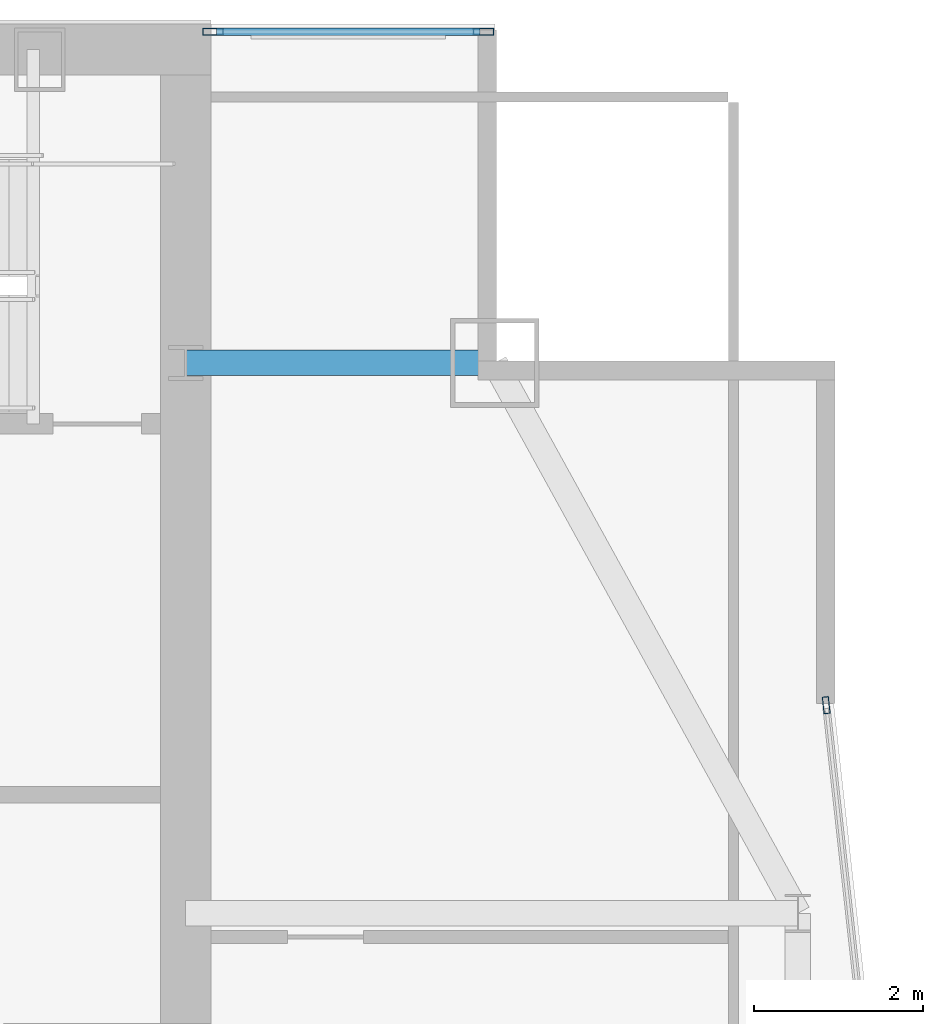
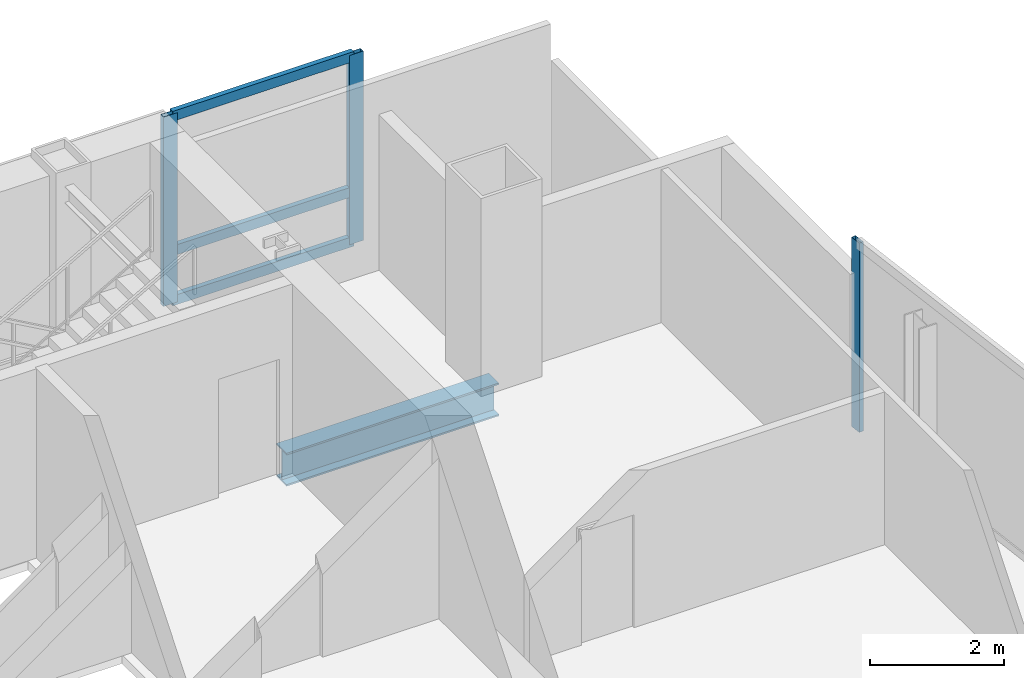
# One storey, part 22 of 29: 6 members, 1 beam, 2 elements without a shape of their own.
"""IFC4 building model written with IfcOpenShell, lengths in metres."""

import ifcopenshell
import ifcopenshell.guid

model = None  # the IFC model being written
_history = None  # IfcOwnerHistory: only IFC2X3 demands one
_inside = {}  # id of a spatial element -> (the spatial element, [elements in it])
_under = {}  # id of a project, library or spatial element -> (it, [spatial elements below it])
_declared = {}  # id of a project -> (the project, [libraries it declares])
_typed = {}  # id of a type object -> (the type object, [elements of that type])
_made_of = {}  # id of a material, layer set ... -> (it, [elements and type objects made of it])


def new_model(schema):
    """Start an empty IFC model of exactly this schema.

    Asked for "IFC4X3", IfcOpenShell would pick the latest addendum, in which some entities
    have other attributes; the version numbers below select the first issue.
    IFC2X3 requires an IfcOwnerHistory on every rooted entity: one is made here for all.
    """
    global model, _history
    if schema == "IFC4X3":
        model = ifcopenshell.file(schema_version=(4, 3, 0, 0))
    else:
        model = ifcopenshell.file(schema=schema)
    _inside.clear()
    _under.clear()
    _declared.clear()
    _typed.clear()
    _made_of.clear()
    _history = None
    if model.schema == "IFC2X3":
        org = make("IfcOrganization", Name="unknown")
        user = make(
            "IfcPersonAndOrganization",
            ThePerson=make("IfcPerson", FamilyName="unknown"),
            TheOrganization=org,
        )
        app = make(
            "IfcApplication",
            ApplicationDeveloper=org,
            Version="unknown",
            ApplicationFullName="unknown",
            ApplicationIdentifier="unknown",
        )
        _history = make(
            "IfcOwnerHistory",
            OwningUser=user,
            OwningApplication=app,
            ChangeAction="ADDED",
            CreationDate=0,
        )
    return model


def make(cls, **values):
    """One entity of the class cls with the attributes given. An attribute that is None is left unset."""
    return model.create_entity(
        cls, **{name: value for name, value in values.items() if value is not None}
    )


def rooted(cls, **values):
    """An entity with a GlobalId (a new one), such as an element, a storey or a relation."""
    return make(cls, GlobalId=ifcopenshell.guid.new(), OwnerHistory=_history, **values)


def si_unit(unit_type, name, prefix=None):
    """IfcSIUnit, for example si_unit("LENGTHUNIT", "METRE", prefix="MILLI")."""
    return make("IfcSIUnit", UnitType=unit_type, Prefix=prefix, Name=name)


def assignment(units):
    """IfcUnitAssignment: the units of a project."""
    return None if units is None else make("IfcUnitAssignment", Units=units)


def point(xyz):
    """IfcCartesianPoint."""
    return None if xyz is None else make("IfcCartesianPoint", Coordinates=xyz)


def direction(xyz):
    """IfcDirection."""
    return None if xyz is None else make("IfcDirection", DirectionRatios=xyz)


def frame(location, z_axis=None, x_axis=None):
    """IfcAxis2Placement3D, a coordinate frame: its origin and axes. An axis left out is left unset."""
    return make(
        "IfcAxis2Placement3D",
        Location=point(location),
        Axis=direction(z_axis),
        RefDirection=direction(x_axis),
    )


def frame_2d(location, x_axis=None):
    """IfcAxis2Placement2D, a coordinate frame in the plane: its origin and x axis."""
    return make(
        "IfcAxis2Placement2D", Location=point(location), RefDirection=direction(x_axis)
    )


def origin():
    """The frame at (0, 0, 0) with its axes left unset."""
    return frame((0.0, 0.0, 0.0))


def origin_2d():
    """The frame at (0, 0) in the plane with its x axis left unset."""
    return frame_2d((0.0, 0.0))


def place(relative_to, where):
    """IfcLocalPlacement: puts the frame where relative to a parent placement (None: the world)."""
    return make(
        "IfcLocalPlacement", PlacementRelTo=relative_to, RelativePlacement=where
    )


def context(
    kind, dimensions, precision=None, world=None, true_north=None, identifier=None
):
    """IfcGeometricRepresentationContext, for example the 3D "Model" context."""
    return make(
        "IfcGeometricRepresentationContext",
        ContextIdentifier=identifier,
        ContextType=kind,
        CoordinateSpaceDimension=dimensions,
        Precision=precision,
        WorldCoordinateSystem=world,
        TrueNorth=true_north,
    )


def subcontext(parent, identifier, kind, view, scale=None):
    """IfcGeometricRepresentationSubContext, for example "Body" below "Model"."""
    return make(
        "IfcGeometricRepresentationSubContext",
        ContextIdentifier=identifier,
        ContextType=kind,
        ParentContext=parent,
        TargetScale=scale,
        TargetView=view,
    )


def project(units=None, contexts=None):
    """IfcProject with its units and contexts."""
    return rooted(
        "IfcProject",
        Name="project",
        RepresentationContexts=contexts,
        UnitsInContext=assignment(units),
    )


def spatial(cls, under=None, at=None, **own):
    """A site, building, storey or space (cls), placed at a placement, below another one or the project."""
    s = rooted(cls, ObjectPlacement=at, **own)
    if under is not None:
        _under.setdefault(under.id(), (under, []))[1].append(s)
    return s


def profile(cls, at=None, kind="AREA", **sizes):
    """A parametric profile (cls). Its sizes go by their IFC names, for example OverallWidth=200.0."""
    return make(cls, ProfileType=kind, Position=at, **sizes)


def hollow_rectangle(**sizes):
    """IfcRectangleHollowProfileDef."""
    return profile("IfcRectangleHollowProfileDef", **sizes)


def i_section(**sizes):
    """IfcIShapeProfileDef."""
    return profile("IfcIShapeProfileDef", **sizes)


def extrude(swept, where, along, depth):
    """IfcExtrudedAreaSolid: the profile swept, set in the frame where, extruded along a direction by depth."""
    return make(
        "IfcExtrudedAreaSolid",
        SweptArea=swept,
        Position=where,
        ExtrudedDirection=direction(along),
        Depth=depth,
    )


def shape(context_of_items, identifier, shape_type, items):
    """IfcShapeRepresentation: the items that make up one representation, for example the "Body"."""
    return make(
        "IfcShapeRepresentation",
        ContextOfItems=context_of_items,
        RepresentationIdentifier=identifier,
        RepresentationType=shape_type,
        Items=items,
    )


def material(Name=None, Category=None):
    """IfcMaterial."""
    return make("IfcMaterial", Name=Name, Category=Category)


def material_profile(
    of_material, cross_section, Name=None, Category=None, Priority=None
):
    """IfcMaterialProfile: a cross section and its material."""
    return make(
        "IfcMaterialProfile",
        Name=Name,
        Material=of_material,
        Profile=cross_section,
        Priority=Priority,
        Category=Category,
    )


def profile_set(profiles, Name=None, composite=None):
    """IfcMaterialProfileSet."""
    return make(
        "IfcMaterialProfileSet",
        Name=Name,
        MaterialProfiles=profiles,
        CompositeProfile=composite,
    )


def made_of(thing, what):
    """Note that an element or type object is made of a material, layer set ...; save() writes the relation."""
    if what is not None:
        _made_of.setdefault(what.id(), (what, []))[1].append(thing)
    return thing


def type_object(cls, material=None, **own):
    """A type object (cls), such as IfcWallType, which elements share."""
    return made_of(rooted(cls, **own), material)


def element(
    cls,
    number,
    at=None,
    inside=None,
    cuts=None,
    type_object=None,
    material=None,
    context=None,
    identifier="Body",
    shape_type=None,
    held_by="IfcProductDefinitionShape",
    body=None,
    shapes=None,
    **own,
):
    """One element of the class cls, such as IfcWall. Its Tag is "e" and its number.

    at: its placement. inside: the storey or other place that contains it. cuts: it is an
    opening in that element (IfcRelVoidsElement). A single representation is given by context,
    identifier, shape_type and body (its items); several are given by shapes. held_by: the class
    of the entity that holds the representations. save() writes the other relations.
    """
    e = rooted(cls, Tag="e%d" % number, ObjectPlacement=at, **own)
    if body is not None:
        shapes = [shape(context, identifier, shape_type, body)]
    if shapes is not None:
        e.Representation = make(held_by, Representations=shapes)
    if inside is not None:
        _inside.setdefault(inside.id(), (inside, []))[1].append(e)
    if cuts is not None:
        rooted(
            "IfcRelVoidsElement", RelatingBuildingElement=cuts, RelatedOpeningElement=e
        )
    if type_object is not None:
        _typed.setdefault(type_object.id(), (type_object, []))[1].append(e)
    return made_of(e, material)


def aggregate(whole, parts):
    """IfcRelAggregates: a whole, such as a stair, and the parts it consists of."""
    return rooted("IfcRelAggregates", RelatingObject=whole, RelatedObjects=parts)


def save(model, path):
    """Write the relations noted so far, then the file.

    IfcRelAggregates (storeys below a building ...), IfcRelContainedInSpatialStructure (elements
    in a storey), IfcRelDefinesByType, IfcRelAssociatesMaterial and IfcRelDeclares: one each for
    every whole, place, type object, material and project.
    """
    for whole, parts in _under.values():
        aggregate(whole, parts)
    for where, things in _inside.values():
        rooted(
            "IfcRelContainedInSpatialStructure",
            RelatedElements=things,
            RelatingStructure=where,
        )
    for kind, things in _typed.values():
        rooted("IfcRelDefinesByType", RelatedObjects=things, RelatingType=kind)
    for what, things in _made_of.values():
        rooted("IfcRelAssociatesMaterial", RelatedObjects=things, RelatingMaterial=what)
    for by, libraries in _declared.values():
        rooted("IfcRelDeclares", RelatingContext=by, RelatedDefinitions=libraries)
    model.write(path)


model = new_model("IFC4")

# Units and contexts
model_context = context("Model", 3, precision=1e-05, world=origin(), true_north=direction((0.0, 1.0)))
body_context = subcontext(model_context, "Body", "Model", "MODEL_VIEW")
ifc_project = project(units=[si_unit("LENGTHUNIT", "METRE"), si_unit("AREAUNIT", "SQUARE_METRE"), si_unit("VOLUMEUNIT", "CUBIC_METRE"), si_unit("PLANEANGLEUNIT", "RADIAN"), si_unit("MASSUNIT", "GRAM", prefix="KILO")], contexts=[model_context])

# Site, building, storey
site_placement = place(None, origin())
site = spatial("IfcSite", under=ifc_project, at=site_placement, CompositionType="ELEMENT")
building_placement = place(site_placement, origin())
building = spatial("IfcBuilding", under=site, at=building_placement, Name="Khoronbel Lancet Exchange", CompositionType="ELEMENT")
storey_placement = place(building_placement, frame((0.0, 0.0, 242.60009765625)))
storey = spatial("IfcBuildingStorey", under=building, at=storey_placement, Name="L62", CompositionType="ELEMENT", Elevation=242.60009765625)

# Beam
ifc_material_1 = material(Name="Steel S355", Category="steel")
ifc_material_profile_1 = material_profile(ifc_material_1, i_section(OverallWidth=0.300048828125, OverallDepth=0.60009765625, WebThickness=0.015380859375, FlangeThickness=0.030029296875, at=origin_2d()), Name="HEB 600")
ifc_profile_set_1 = profile_set([ifc_material_profile_1], Name="Steel S355")
beam_type = type_object("IfcBeamType", Name="BM-BSP2", PredefinedType="SPANDREL", material=ifc_profile_set_1)
beam_placement = place(storey_placement, frame((60.050048828125, 49.699951171875, -0.460205078125), z_axis=(-1.0, 0.0, 0.0), x_axis=(0.0, -1.0, 0.0)))
element("IfcBeam", 1, at=beam_placement, inside=storey, type_object=beam_type, Name="Level L62 north flank tie spandrel SP23", PredefinedType="SPANDREL", context=body_context, shape_type="SweptSolid", body=[
    extrude(i_section(OverallWidth=0.300048828125, OverallDepth=0.60009765625, WebThickness=0.015380859375, FlangeThickness=0.030029296875, at=origin_2d()), origin(), (0.0, 0.0, 1.0), 3.650146484375),
])

# Curtain wall, members
ifc_material_2 = material(Name="Low-E Solar Control Insulating Glass", Category="glass")
curtain_wall_type_1 = type_object("IfcCurtainWallType", Name="CW-3", PredefinedType="NOTDEFINED", material=ifc_material_2)
curtain_wall_1_placement = place(storey_placement, origin())
curtain_wall_1 = element("IfcCurtainWall", 2, at=curtain_wall_1_placement, inside=storey, type_object=curtain_wall_type_1, Name="Unitised curtain wall CW-L62-NEFLK", PredefinedType="NOTDEFINED")
ifc_material_3 = material(Name="Bronze-Anodised Aluminium 6063-T6", Category="aluminium")
ifc_material_profile_2 = material_profile(ifc_material_3, hollow_rectangle(XDim=0.0849609375, YDim=0.239990234375, WallThickness=0.006103515625, at=origin_2d()), Name="ALU MULLION 85x240")
ifc_profile_set_2 = profile_set([ifc_material_profile_2], Name="Bronze-Anodised Aluminium 6063-T6")
member_type_1 = type_object("IfcMemberType", Name="MEM-CWM1", PredefinedType="MULLION", material=ifc_profile_set_2)
member_1_placement = place(storey_placement, frame((59.91748046875, 53.610107421875, 0.0), z_axis=(0.0, 0.0, 1.0), x_axis=(0.0, -1.0, 0.0)))
member_1 = element("IfcMember", 3, at=member_1_placement, type_object=member_type_1, Name="CW3 mullion 1", PredefinedType="MULLION", context=body_context, shape_type="SweptSolid", body=[
    extrude(hollow_rectangle(XDim=0.0849609375, YDim=0.239990234375, WallThickness=0.006103515625, at=origin_2d()), origin(), (0.0, 0.0, 1.0), 3.43994140625),
])
member_2_placement = place(storey_placement, frame((56.722412109375, 53.610107421875, 0.0), z_axis=(0.0, 0.0, 1.0), x_axis=(0.0, -1.0, 0.0)))
member_2 = element("IfcMember", 4, at=member_2_placement, type_object=member_type_1, Name="CW3 mullion 2", PredefinedType="MULLION", context=body_context, shape_type="SweptSolid", body=[
    extrude(hollow_rectangle(XDim=0.0849609375, YDim=0.239990234375, WallThickness=0.006103515625, at=origin_2d()), origin(), (0.0, 0.0, 1.0), 3.43994140625),
])

# Curtain wall, member
curtain_wall_type_2 = type_object("IfcCurtainWallType", Name="CW-4", PredefinedType="NOTDEFINED", material=ifc_material_2)
curtain_wall_2_placement = place(storey_placement, origin())
curtain_wall_2 = element("IfcCurtainWall", 5, at=curtain_wall_2_placement, inside=storey, type_object=curtain_wall_type_2, Name="Unitised curtain wall CW-L62-E17", PredefinedType="NOTDEFINED")
ifc_material_profile_3 = material_profile(ifc_material_3, hollow_rectangle(XDim=0.074951171875, YDim=0.199951171875, WallThickness=0.0048828125, at=origin_2d()), Name="ALU MULLION 75x200")
ifc_profile_set_3 = profile_set([ifc_material_profile_3], Name="Bronze-Anodised Aluminium 6063-T6")
member_type_2 = type_object("IfcMemberType", Name="MEM-CWM2", PredefinedType="MULLION", material=ifc_profile_set_3)
member_3_placement = place(storey_placement, frame((63.964111328125, 45.65771484375, 0.0), z_axis=(0.0, 0.0, 1.0), x_axis=(0.993947317123, 0.109857775256, 0.0)))
member_3 = element("IfcMember", 6, at=member_3_placement, type_object=member_type_2, Name="CW4 mullion 1", PredefinedType="MULLION", context=body_context, shape_type="SweptSolid", body=[
    extrude(hollow_rectangle(XDim=0.074951171875, YDim=0.199951171875, WallThickness=0.0048828125, at=origin_2d()), origin(), (0.0, 0.0, 1.0), 3.43994140625),
])
aggregate(curtain_wall_2, [member_3])

# Member
ifc_material_profile_4 = material_profile(ifc_material_3, hollow_rectangle(XDim=0.0849609375, YDim=0.179931640625, WallThickness=0.0048828125, at=origin_2d()), Name="ALU TRANSOM 85x180")
ifc_profile_set_4 = profile_set([ifc_material_profile_4], Name="Bronze-Anodised Aluminium 6063-T6")
member_type_3 = type_object("IfcMemberType", Name="MEM-CWT1", PredefinedType="USERDEFINED", material=ifc_profile_set_4)
member_4_placement = place(storey_placement, frame((59.875, 53.610107421875, 0.04248046875), z_axis=(-1.0, 0.0, 0.0), x_axis=(0.0, -1.0, 0.0)))
member_4 = element("IfcMember", 7, at=member_4_placement, type_object=member_type_3, Name="CW3 transom 1.1", ObjectType="TRANSOM", PredefinedType="USERDEFINED", context=body_context, shape_type="SweptSolid", body=[
    extrude(hollow_rectangle(XDim=0.0849609375, YDim=0.179931640625, WallThickness=0.0048828125, at=origin_2d()), origin(), (0.0, 0.0, 1.0), 3.110107421875),
])

member_5_placement = place(storey_placement, frame((59.875, 53.610107421875, 0.949951171875), z_axis=(-1.0, 0.0, 0.0), x_axis=(0.0, -1.0, 0.0)))
member_5 = element("IfcMember", 8, at=member_5_placement, type_object=member_type_3, Name="CW3 transom 1.2", ObjectType="TRANSOM", PredefinedType="USERDEFINED", context=body_context, shape_type="SweptSolid", body=[
    extrude(hollow_rectangle(XDim=0.0849609375, YDim=0.179931640625, WallThickness=0.0048828125, at=origin_2d()), origin(), (0.0, 0.0, 1.0), 3.110107421875),
])

member_6_placement = place(storey_placement, frame((59.875, 53.610107421875, 3.3974609375), z_axis=(-1.0, 0.0, 0.0), x_axis=(0.0, -1.0, 0.0)))
member_6 = element("IfcMember", 9, at=member_6_placement, type_object=member_type_3, Name="CW3 transom 1.3", ObjectType="TRANSOM", PredefinedType="USERDEFINED", context=body_context, shape_type="SweptSolid", body=[
    extrude(hollow_rectangle(XDim=0.0849609375, YDim=0.179931640625, WallThickness=0.0048828125, at=origin_2d()), origin(), (0.0, 0.0, 1.0), 3.110107421875),
])

aggregate(curtain_wall_1, [member_1, member_2, member_4, member_5, member_6])

save(model, "model.ifc")
